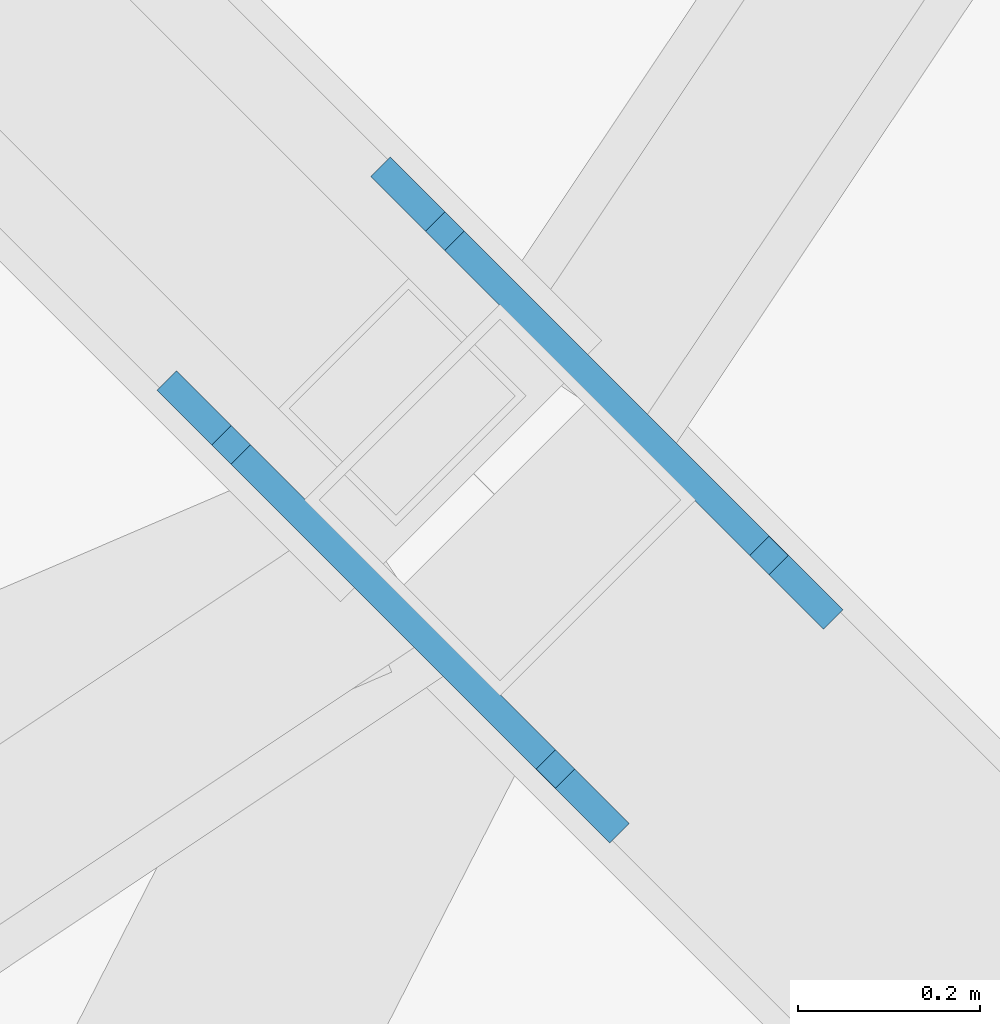
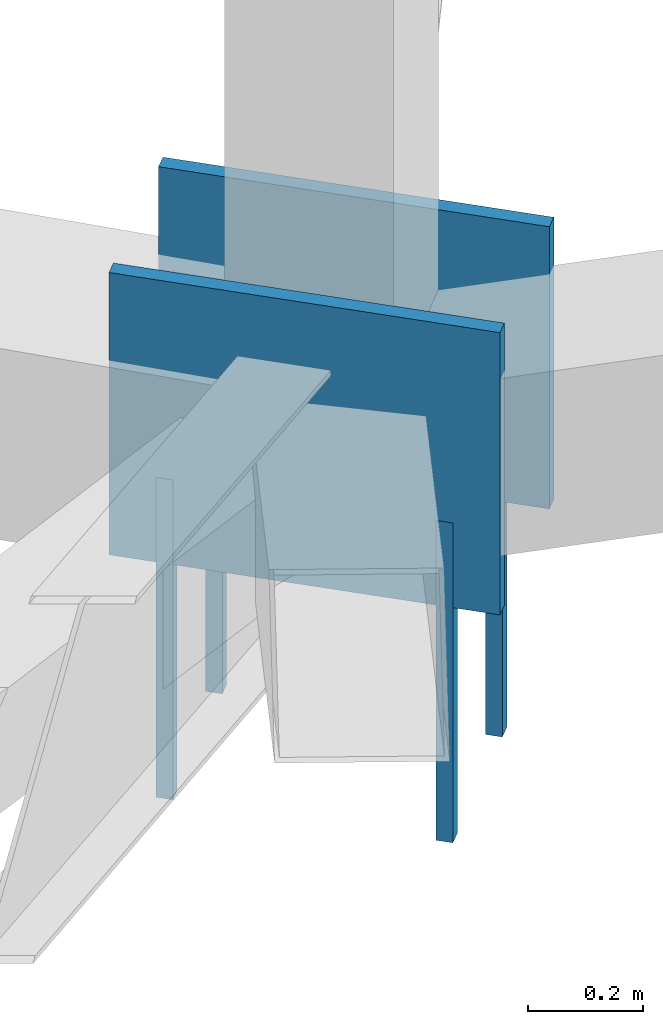
# One storey, part 177 of 278: 4 mechanical fasteners, 2 discrete accessories.
"""IFC4 building model written with IfcOpenShell, lengths in metres."""

from ifc_helpers import new_model, si_unit, direction, frame, origin, origin_2d, place, context, subcontext, project, spatial, rectangle, extrude, material, layer, layer_set, type_object, element, save


model = new_model("IFC4")

# Units and contexts
model_context = context("Model", 3, precision=1e-05, world=origin(), true_north=direction((0.0, 1.0)))
body_context = subcontext(model_context, "Body", "Model", "MODEL_VIEW")
ifc_project = project(units=[si_unit("LENGTHUNIT", "METRE"), si_unit("AREAUNIT", "SQUARE_METRE"), si_unit("VOLUMEUNIT", "CUBIC_METRE"), si_unit("PLANEANGLEUNIT", "RADIAN"), si_unit("MASSUNIT", "GRAM", prefix="KILO")], contexts=[model_context])

# Site, building, storey
site_placement = place(None, origin())
site = spatial("IfcSite", under=ifc_project, at=site_placement, CompositionType="ELEMENT")
building_placement = place(site_placement, origin())
building = spatial("IfcBuilding", under=site, at=building_placement, Name="Ogive Plaza Stadium", CompositionType="ELEMENT")
storey_placement = place(building_placement, frame((0.0, 0.0, 29.0)))
storey = spatial("IfcBuildingStorey", under=building, at=storey_placement, Name="Roof", CompositionType="ELEMENT", Elevation=29.0)

# Mechanical fasteners
ifc_material_1 = material(Name="Steel ASTM A992 Grade 50", Category="steel")
mechanical_fastener_type = type_object("IfcMechanicalFastenerType", Name="Anchor bolt M30 x 600", PredefinedType="ANCHORBOLT", material=ifc_material_1)
for number, where, z_axis, x_axis, name in (
    (1, (62.580322265625, -80.84521484375, -0.5), (0.0, 0.0, 1.0), (0.707106781187, -0.707106781187, 0.0), "ANCHOR BOLT 10 BP 1.1"),
    (2, (62.223388671875, -80.488037109375, -0.5), (0.0, 0.0, 1.0), (0.707106781187, -0.707106781187, 0.0), "ANCHOR BOLT 10 BP 1.2"),
    (3, (62.34521484375, -81.080322265625, -0.5), (0.0, 0.0, 1.0), (0.707106781187, -0.707106781187, 0.0), "ANCHOR BOLT 10 BP 2.1"),
    (4, (61.988037109375, -80.723388671875, -0.5), (0.0, 0.0, 1.0), (0.707106781187, -0.707106781187, 0.0), "ANCHOR BOLT 10 BP 2.2"),
):
    element("IfcMechanicalFastener", number, at=place(storey_placement, frame(where, z_axis=z_axis, x_axis=x_axis)), inside=storey, type_object=mechanical_fastener_type, Name=name, PredefinedType="ANCHORBOLT", context=body_context, shape_type="SweptSolid", body=[
        extrude(rectangle(XDim=0.030029296875, YDim=0.030029296875, at=origin_2d()), origin(), (0.0, 0.0, 1.0), 0.679931640625),
    ])

# Discrete accessories
ifc_material_2 = material(Name="Steel ASTM A992 Grade 50", Category="steel")
ifc_layer = layer(ifc_material_2, 0.030029296875)
ifc_layer_set = layer_set([ifc_layer], Name="Steel ASTM A992 Grade 50")
discrete_accessory_type = type_object("IfcDiscreteAccessoryType", Name="Truss root foot cleat plate 30", PredefinedType="ANCHORPLATE", material=ifc_layer_set)
for number, where, z_axis, x_axis, name in (
    (5, (62.40185546875, -80.66650390625, 0.0), (0.0, 0.0, 1.0), (0.707106781187, -0.707106781187, 0.0), "TRUSS ROOT FOOT CLEAT PLATE 10 1"),
    (6, (62.16650390625, -80.90185546875, 0.0), (0.0, 0.0, 1.0), (0.707106781187, -0.707106781187, 0.0), "TRUSS ROOT FOOT CLEAT PLATE 10 2"),
):
    element("IfcDiscreteAccessory", number, at=place(storey_placement, frame(where, z_axis=z_axis, x_axis=x_axis)), inside=storey, type_object=discrete_accessory_type, Name=name, PredefinedType="ANCHORPLATE", context=body_context, shape_type="SweptSolid", body=[
        extrude(rectangle(XDim=0.704833984375, YDim=0.030029296875, at=origin_2d()), origin(), (0.0, 0.0, 1.0), 0.60009765625),
    ])

save(model, "model.ifc")
